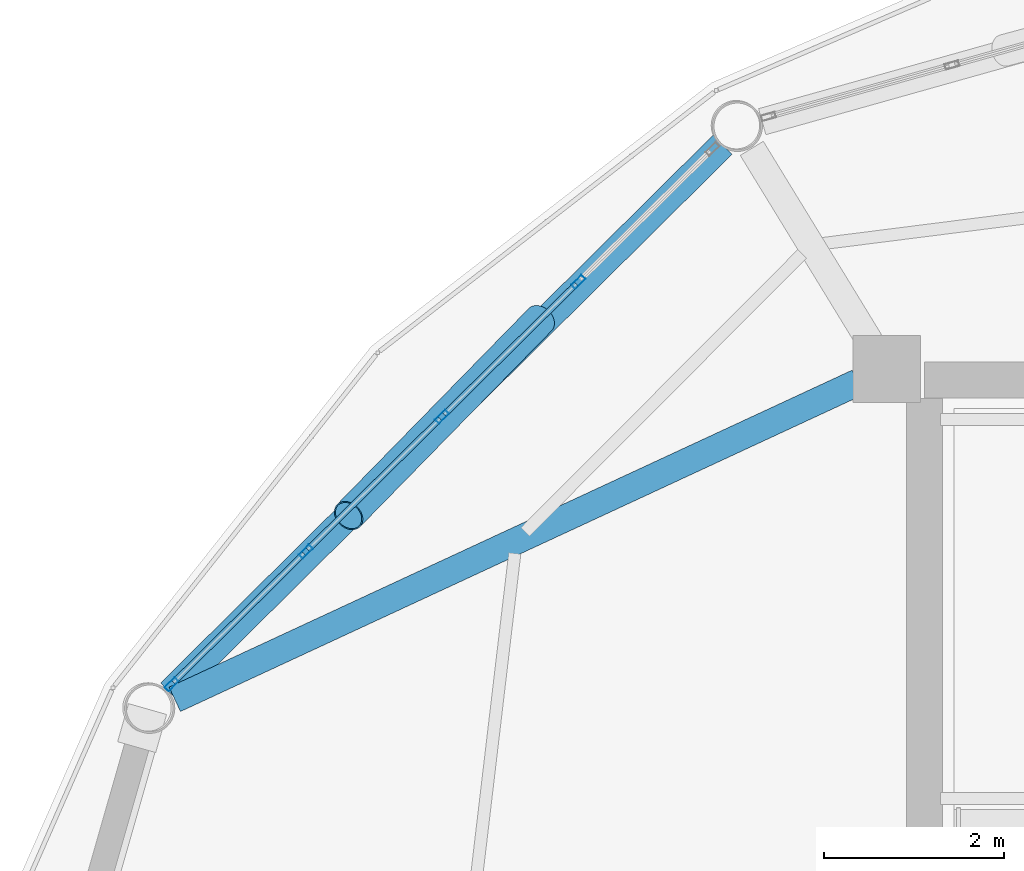
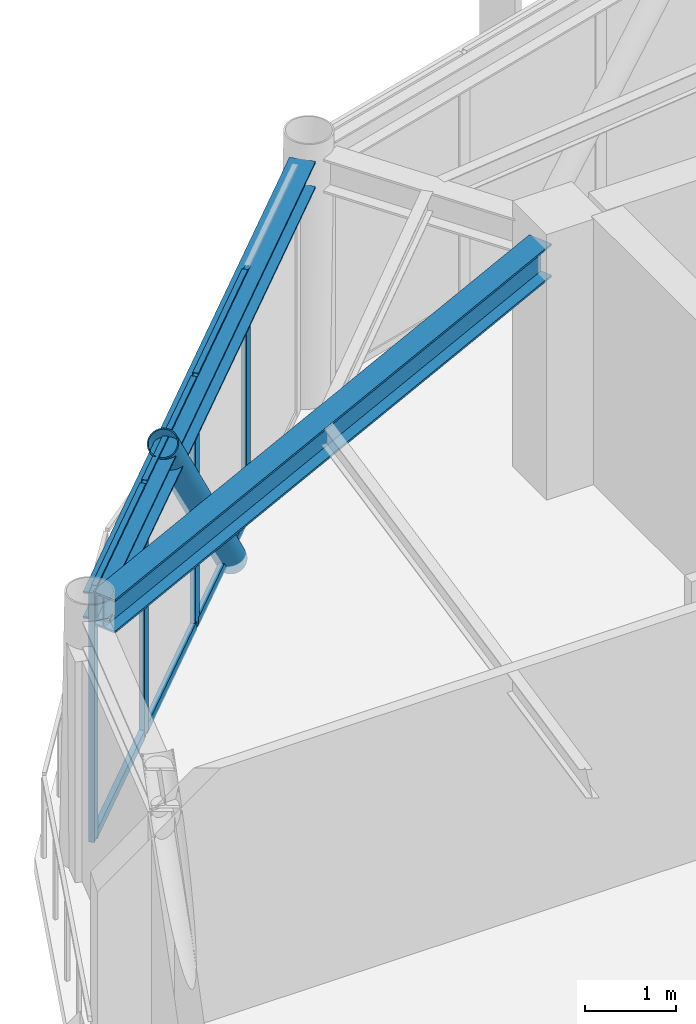
# One storey, part 11 of 24: 11 members, 2 beams, 1 element without a shape of its own.
"""IFC4 building model written with IfcOpenShell, lengths in metres."""

import ifcopenshell
import ifcopenshell.guid

model = None  # the IFC model being written
_history = None  # IfcOwnerHistory: only IFC2X3 demands one
_inside = {}  # id of a spatial element -> (the spatial element, [elements in it])
_under = {}  # id of a project, library or spatial element -> (it, [spatial elements below it])
_declared = {}  # id of a project -> (the project, [libraries it declares])
_typed = {}  # id of a type object -> (the type object, [elements of that type])
_made_of = {}  # id of a material, layer set ... -> (it, [elements and type objects made of it])


def new_model(schema):
    """Start an empty IFC model of exactly this schema.

    Asked for "IFC4X3", IfcOpenShell would pick the latest addendum, in which some entities
    have other attributes; the version numbers below select the first issue.
    IFC2X3 requires an IfcOwnerHistory on every rooted entity: one is made here for all.
    """
    global model, _history
    if schema == "IFC4X3":
        model = ifcopenshell.file(schema_version=(4, 3, 0, 0))
    else:
        model = ifcopenshell.file(schema=schema)
    _inside.clear()
    _under.clear()
    _declared.clear()
    _typed.clear()
    _made_of.clear()
    _history = None
    if model.schema == "IFC2X3":
        org = make("IfcOrganization", Name="unknown")
        user = make(
            "IfcPersonAndOrganization",
            ThePerson=make("IfcPerson", FamilyName="unknown"),
            TheOrganization=org,
        )
        app = make(
            "IfcApplication",
            ApplicationDeveloper=org,
            Version="unknown",
            ApplicationFullName="unknown",
            ApplicationIdentifier="unknown",
        )
        _history = make(
            "IfcOwnerHistory",
            OwningUser=user,
            OwningApplication=app,
            ChangeAction="ADDED",
            CreationDate=0,
        )
    return model


def make(cls, **values):
    """One entity of the class cls with the attributes given. An attribute that is None is left unset."""
    return model.create_entity(
        cls, **{name: value for name, value in values.items() if value is not None}
    )


def rooted(cls, **values):
    """An entity with a GlobalId (a new one), such as an element, a storey or a relation."""
    return make(cls, GlobalId=ifcopenshell.guid.new(), OwnerHistory=_history, **values)


def si_unit(unit_type, name, prefix=None):
    """IfcSIUnit, for example si_unit("LENGTHUNIT", "METRE", prefix="MILLI")."""
    return make("IfcSIUnit", UnitType=unit_type, Prefix=prefix, Name=name)


def assignment(units):
    """IfcUnitAssignment: the units of a project."""
    return None if units is None else make("IfcUnitAssignment", Units=units)


def point(xyz):
    """IfcCartesianPoint."""
    return None if xyz is None else make("IfcCartesianPoint", Coordinates=xyz)


def direction(xyz):
    """IfcDirection."""
    return None if xyz is None else make("IfcDirection", DirectionRatios=xyz)


def frame(location, z_axis=None, x_axis=None):
    """IfcAxis2Placement3D, a coordinate frame: its origin and axes. An axis left out is left unset."""
    return make(
        "IfcAxis2Placement3D",
        Location=point(location),
        Axis=direction(z_axis),
        RefDirection=direction(x_axis),
    )


def frame_2d(location, x_axis=None):
    """IfcAxis2Placement2D, a coordinate frame in the plane: its origin and x axis."""
    return make(
        "IfcAxis2Placement2D", Location=point(location), RefDirection=direction(x_axis)
    )


def origin():
    """The frame at (0, 0, 0) with its axes left unset."""
    return frame((0.0, 0.0, 0.0))


def origin_2d():
    """The frame at (0, 0) in the plane with its x axis left unset."""
    return frame_2d((0.0, 0.0))


def place(relative_to, where):
    """IfcLocalPlacement: puts the frame where relative to a parent placement (None: the world)."""
    return make(
        "IfcLocalPlacement", PlacementRelTo=relative_to, RelativePlacement=where
    )


def context(
    kind, dimensions, precision=None, world=None, true_north=None, identifier=None
):
    """IfcGeometricRepresentationContext, for example the 3D "Model" context."""
    return make(
        "IfcGeometricRepresentationContext",
        ContextIdentifier=identifier,
        ContextType=kind,
        CoordinateSpaceDimension=dimensions,
        Precision=precision,
        WorldCoordinateSystem=world,
        TrueNorth=true_north,
    )


def subcontext(parent, identifier, kind, view, scale=None):
    """IfcGeometricRepresentationSubContext, for example "Body" below "Model"."""
    return make(
        "IfcGeometricRepresentationSubContext",
        ContextIdentifier=identifier,
        ContextType=kind,
        ParentContext=parent,
        TargetScale=scale,
        TargetView=view,
    )


def project(units=None, contexts=None):
    """IfcProject with its units and contexts."""
    return rooted(
        "IfcProject",
        Name="project",
        RepresentationContexts=contexts,
        UnitsInContext=assignment(units),
    )


def spatial(cls, under=None, at=None, **own):
    """A site, building, storey or space (cls), placed at a placement, below another one or the project."""
    s = rooted(cls, ObjectPlacement=at, **own)
    if under is not None:
        _under.setdefault(under.id(), (under, []))[1].append(s)
    return s


def profile(cls, at=None, kind="AREA", **sizes):
    """A parametric profile (cls). Its sizes go by their IFC names, for example OverallWidth=200.0."""
    return make(cls, ProfileType=kind, Position=at, **sizes)


def hollow_rectangle(**sizes):
    """IfcRectangleHollowProfileDef."""
    return profile("IfcRectangleHollowProfileDef", **sizes)


def hollow_circle(**sizes):
    """IfcCircleHollowProfileDef."""
    return profile("IfcCircleHollowProfileDef", **sizes)


def i_section(**sizes):
    """IfcIShapeProfileDef."""
    return profile("IfcIShapeProfileDef", **sizes)


def extrude(swept, where, along, depth):
    """IfcExtrudedAreaSolid: the profile swept, set in the frame where, extruded along a direction by depth."""
    return make(
        "IfcExtrudedAreaSolid",
        SweptArea=swept,
        Position=where,
        ExtrudedDirection=direction(along),
        Depth=depth,
    )


def shape(context_of_items, identifier, shape_type, items):
    """IfcShapeRepresentation: the items that make up one representation, for example the "Body"."""
    return make(
        "IfcShapeRepresentation",
        ContextOfItems=context_of_items,
        RepresentationIdentifier=identifier,
        RepresentationType=shape_type,
        Items=items,
    )


def material(Name=None, Category=None):
    """IfcMaterial."""
    return make("IfcMaterial", Name=Name, Category=Category)


def layer(
    of_material, thickness, ventilated=None, Name=None, Category=None, Priority=None
):
    """IfcMaterialLayer: one layer of a wall or slab, of a material (None: an air gap)."""
    return make(
        "IfcMaterialLayer",
        Material=of_material,
        LayerThickness=thickness,
        IsVentilated=ventilated,
        Name=Name,
        Category=Category,
        Priority=Priority,
    )


def layer_set(layers, Name=None):
    """IfcMaterialLayerSet."""
    return make("IfcMaterialLayerSet", MaterialLayers=layers, LayerSetName=Name)


def material_profile(
    of_material, cross_section, Name=None, Category=None, Priority=None
):
    """IfcMaterialProfile: a cross section and its material."""
    return make(
        "IfcMaterialProfile",
        Name=Name,
        Material=of_material,
        Profile=cross_section,
        Priority=Priority,
        Category=Category,
    )


def profile_set(profiles, Name=None, composite=None):
    """IfcMaterialProfileSet."""
    return make(
        "IfcMaterialProfileSet",
        Name=Name,
        MaterialProfiles=profiles,
        CompositeProfile=composite,
    )


def made_of(thing, what):
    """Note that an element or type object is made of a material, layer set ...; save() writes the relation."""
    if what is not None:
        _made_of.setdefault(what.id(), (what, []))[1].append(thing)
    return thing


def type_object(cls, material=None, **own):
    """A type object (cls), such as IfcWallType, which elements share."""
    return made_of(rooted(cls, **own), material)


def element(
    cls,
    number,
    at=None,
    inside=None,
    cuts=None,
    type_object=None,
    material=None,
    context=None,
    identifier="Body",
    shape_type=None,
    held_by="IfcProductDefinitionShape",
    body=None,
    shapes=None,
    **own,
):
    """One element of the class cls, such as IfcWall. Its Tag is "e" and its number.

    at: its placement. inside: the storey or other place that contains it. cuts: it is an
    opening in that element (IfcRelVoidsElement). A single representation is given by context,
    identifier, shape_type and body (its items); several are given by shapes. held_by: the class
    of the entity that holds the representations. save() writes the other relations.
    """
    e = rooted(cls, Tag="e%d" % number, ObjectPlacement=at, **own)
    if body is not None:
        shapes = [shape(context, identifier, shape_type, body)]
    if shapes is not None:
        e.Representation = make(held_by, Representations=shapes)
    if inside is not None:
        _inside.setdefault(inside.id(), (inside, []))[1].append(e)
    if cuts is not None:
        rooted(
            "IfcRelVoidsElement", RelatingBuildingElement=cuts, RelatedOpeningElement=e
        )
    if type_object is not None:
        _typed.setdefault(type_object.id(), (type_object, []))[1].append(e)
    return made_of(e, material)


def aggregate(whole, parts):
    """IfcRelAggregates: a whole, such as a stair, and the parts it consists of."""
    return rooted("IfcRelAggregates", RelatingObject=whole, RelatedObjects=parts)


def save(model, path):
    """Write the relations noted so far, then the file.

    IfcRelAggregates (storeys below a building ...), IfcRelContainedInSpatialStructure (elements
    in a storey), IfcRelDefinesByType, IfcRelAssociatesMaterial and IfcRelDeclares: one each for
    every whole, place, type object, material and project.
    """
    for whole, parts in _under.values():
        aggregate(whole, parts)
    for where, things in _inside.values():
        rooted(
            "IfcRelContainedInSpatialStructure",
            RelatedElements=things,
            RelatingStructure=where,
        )
    for kind, things in _typed.values():
        rooted("IfcRelDefinesByType", RelatedObjects=things, RelatingType=kind)
    for what, things in _made_of.values():
        rooted("IfcRelAssociatesMaterial", RelatedObjects=things, RelatingMaterial=what)
    for by, libraries in _declared.values():
        rooted("IfcRelDeclares", RelatingContext=by, RelatedDefinitions=libraries)
    model.write(path)


model = new_model("IFC4")

# Units and contexts
model_context = context("Model", 3, precision=1e-05, world=origin(), true_north=direction((0.0, 1.0)))
body_context = subcontext(model_context, "Body", "Model", "MODEL_VIEW")
ifc_project = project(units=[si_unit("LENGTHUNIT", "METRE"), si_unit("AREAUNIT", "SQUARE_METRE"), si_unit("VOLUMEUNIT", "CUBIC_METRE"), si_unit("PLANEANGLEUNIT", "RADIAN"), si_unit("MASSUNIT", "GRAM", prefix="KILO")], contexts=[model_context])

# Site, building, storey
site_placement = place(None, origin())
site = spatial("IfcSite", under=ifc_project, at=site_placement, CompositionType="ELEMENT")
building_placement = place(site_placement, origin())
building = spatial("IfcBuilding", under=site, at=building_placement, Name="Varnakorn Sky Granary", CompositionType="ELEMENT")
storey_placement = place(building_placement, frame((0.0, 0.0, 274.199951171875)))
storey = spatial("IfcBuildingStorey", under=building, at=storey_placement, Name="L70", CompositionType="ELEMENT", Elevation=274.199951171875)

# Beams
ifc_material_1 = material(Name="Steel S355JR", Category="steel")
ifc_material_profile_1 = material_profile(ifc_material_1, i_section(OverallWidth=0.300048828125, OverallDepth=0.449951171875, WebThickness=0.013916015625, FlangeThickness=0.02587890625, at=origin_2d()), Name="HE 450 B")
ifc_profile_set_1 = profile_set([ifc_material_profile_1], Name="Steel S355JR")
beam_type_1 = type_object("IfcBeamType", Name="BM-RAD-Z5", PredefinedType="BEAM", material=ifc_profile_set_1)
beam_1_placement = place(storey_placement, frame((-2.741943359375, 12.470703125, 3.135009765625), z_axis=(-0.90710793453, -0.420898081622, 0.0), x_axis=(0.420898081622, -0.90710793453, 0.0)))
element("IfcBeam", 1, at=beam_1_placement, inside=storey, type_object=beam_type_1, Name="Radial Floor Girder RG06 L70", PredefinedType="BEAM", context=body_context, shape_type="SweptSolid", body=[
    extrude(i_section(OverallWidth=0.300048828125, OverallDepth=0.449951171875, WebThickness=0.013916015625, FlangeThickness=0.02587890625, at=origin_2d()), origin(), (0.0, 0.0, 1.0), 8.376953125),
])
ifc_material_profile_2 = material_profile(ifc_material_1, i_section(OverallWidth=0.300048828125, OverallDepth=0.360107421875, WebThickness=0.012451171875, FlangeThickness=0.0224609375, at=origin_2d()), Name="HE 360 B")
ifc_profile_set_2 = profile_set([ifc_material_profile_2], Name="Steel S355JR")
beam_type_2 = type_object("IfcBeamType", Name="BM-SPD-Z5", PredefinedType="SPANDREL", material=ifc_profile_set_2)
beam_2_placement = place(storey_placement, frame((-4.246826171875, 15.114013671875, 3.179931640625), z_axis=(-0.710104416843, -0.704096383445, 0.0), x_axis=(0.704096383445, -0.710104416843, 0.0)))
element("IfcBeam", 2, at=beam_2_placement, inside=storey, type_object=beam_type_2, Name="Perimeter Spandrel Ring Beam RB05 L70", PredefinedType="SPANDREL", context=body_context, shape_type="SweptSolid", body=[
    extrude(i_section(OverallWidth=0.300048828125, OverallDepth=0.360107421875, WebThickness=0.012451171875, FlangeThickness=0.0224609375, at=origin_2d()), origin(), (0.0, 0.0, 1.0), 8.655517578125),
])

# Curtain wall, members
ifc_material_2 = material(Name="Anodised Bronze Aluminium Alloy 6063-T6", Category="aluminium")
ifc_layer = layer(ifc_material_2, 0.159912109375, Name="Anodised Bronze Aluminium Alloy 6063-T6")
ifc_layer_set = layer_set([ifc_layer], Name="Anodised Bronze Aluminium Alloy 6063-T6")
curtain_wall_type = type_object("IfcCurtainWallType", Name="CW-OFF-1", PredefinedType="USERDEFINED", material=ifc_layer_set)
curtain_wall_placement = place(storey_placement, origin())
curtain_wall = element("IfcCurtainWall", 3, at=curtain_wall_placement, inside=storey, type_object=curtain_wall_type, Name="Unitised Curtain Wall CW6 CW-L70-B05", ObjectType="CURTAIN WALL", PredefinedType="USERDEFINED")
ifc_material_profile_3 = material_profile(ifc_material_2, hollow_rectangle(XDim=0.06494140625, YDim=0.159912109375, WallThickness=0.00341796875, at=origin_2d()), Name="ALU MULL 65x160")
ifc_profile_set_3 = profile_set([ifc_material_profile_3], Name="Anodised Bronze Aluminium Alloy 6063-T6")
member_type_1 = type_object("IfcMemberType", Name="CW-OFF-1-MULL", PredefinedType="MULLION", material=ifc_profile_set_3)
member_1_placement = place(storey_placement, frame((-10.375244140625, 9.111572265625, 0.0), z_axis=(0.0, 0.0, 1.0), x_axis=(-0.703399020646, 0.710795200993, 0.0)))
member_1 = element("IfcMember", 4, at=member_1_placement, type_object=member_type_1, Name="CW6 mullion 1", PredefinedType="MULLION", context=body_context, shape_type="SweptSolid", body=[
    extrude(hollow_rectangle(XDim=0.06494140625, YDim=0.159912109375, WallThickness=0.00341796875, at=origin_2d()), origin(), (0.0, 0.0, 1.0), 3.360107421875),
])
member_2_placement = place(storey_placement, frame((-8.88232421875, 10.589111328125, 0.0), z_axis=(0.0, 0.0, 1.0), x_axis=(-0.703399020646, 0.710795200993, 0.0)))
member_2 = element("IfcMember", 5, at=member_2_placement, type_object=member_type_1, Name="CW6 mullion 2", PredefinedType="MULLION", context=body_context, shape_type="SweptSolid", body=[
    extrude(hollow_rectangle(XDim=0.06494140625, YDim=0.159912109375, WallThickness=0.00341796875, at=origin_2d()), origin(), (0.0, 0.0, 1.0), 3.360107421875),
])
member_3_placement = place(storey_placement, frame((-7.366455078125, 12.08935546875, 0.0), z_axis=(0.0, 0.0, 1.0), x_axis=(-0.703399020646, 0.710795200993, 0.0)))
member_3 = element("IfcMember", 6, at=member_3_placement, type_object=member_type_1, Name="CW6 mullion 3", PredefinedType="MULLION", context=body_context, shape_type="SweptSolid", body=[
    extrude(hollow_rectangle(XDim=0.06494140625, YDim=0.159912109375, WallThickness=0.00341796875, at=origin_2d()), origin(), (0.0, 0.0, 1.0), 3.360107421875),
])
member_4_placement = place(storey_placement, frame((-5.850341796875, 13.589599609375, 0.0), z_axis=(0.0, 0.0, 1.0), x_axis=(-0.703399020646, 0.710795200993, 0.0)))
member_4 = element("IfcMember", 7, at=member_4_placement, type_object=member_type_1, Name="CW6 mullion 4", PredefinedType="MULLION", context=body_context, shape_type="SweptSolid", body=[
    extrude(hollow_rectangle(XDim=0.06494140625, YDim=0.159912109375, WallThickness=0.00341796875, at=origin_2d()), origin(), (0.0, 0.0, 1.0), 3.360107421875),
])
ifc_material_profile_4 = material_profile(ifc_material_2, hollow_rectangle(XDim=0.06494140625, YDim=0.1201171875, WallThickness=0.00341796875, at=origin_2d()), Name="ALU TRAN 65x120")
ifc_profile_set_4 = profile_set([ifc_material_profile_4], Name="Anodised Bronze Aluminium Alloy 6063-T6")
member_type_2 = type_object("IfcMemberType", Name="CW-OFF-1-TRAN", PredefinedType="USERDEFINED", material=ifc_profile_set_4)
member_5_placement = place(storey_placement, frame((-10.352294921875, 9.134521484375, 0.032470703125), z_axis=(0.710815410911, 0.703378597635, 0.0), x_axis=(-0.703378597635, 0.710815410911, 0.0)))
member_5 = element("IfcMember", 8, at=member_5_placement, type_object=member_type_2, Name="CW6 transom 1.1", ObjectType="TRANSOM", PredefinedType="USERDEFINED", context=body_context, shape_type="SweptSolid", body=[
    extrude(hollow_rectangle(XDim=0.06494140625, YDim=0.1201171875, WallThickness=0.00341796875, at=origin_2d()), origin(), (0.0, 0.0, 1.0), 2.035400390625),
])
member_6_placement = place(storey_placement, frame((-10.352294921875, 9.134521484375, 3.32763671875), z_axis=(0.710815410911, 0.703378597635, 0.0), x_axis=(-0.703378597635, 0.710815410911, 0.0)))
member_6 = element("IfcMember", 9, at=member_6_placement, type_object=member_type_2, Name="CW6 transom 1.2", ObjectType="TRANSOM", PredefinedType="USERDEFINED", context=body_context, shape_type="SweptSolid", body=[
    extrude(hollow_rectangle(XDim=0.06494140625, YDim=0.1201171875, WallThickness=0.00341796875, at=origin_2d()), origin(), (0.0, 0.0, 1.0), 2.035400390625),
])
member_7_placement = place(storey_placement, frame((-8.859375, 10.61181640625, 0.032470703125), z_axis=(0.710815769482, 0.703378235273, 0.0), x_axis=(-0.703378235273, 0.710815769482, 0.0)))
member_7 = element("IfcMember", 10, at=member_7_placement, type_object=member_type_2, Name="CW6 transom 2.1", ObjectType="TRANSOM", PredefinedType="USERDEFINED", context=body_context, shape_type="SweptSolid", body=[
    extrude(hollow_rectangle(XDim=0.06494140625, YDim=0.1201171875, WallThickness=0.00341796875, at=origin_2d()), origin(), (0.0, 0.0, 1.0), 2.068115234375),
])
member_8_placement = place(storey_placement, frame((-8.859375, 10.61181640625, 3.32763671875), z_axis=(0.710815769482, 0.703378235273, 0.0), x_axis=(-0.703378235273, 0.710815769482, 0.0)))
member_8 = element("IfcMember", 11, at=member_8_placement, type_object=member_type_2, Name="CW6 transom 2.2", ObjectType="TRANSOM", PredefinedType="USERDEFINED", context=body_context, shape_type="SweptSolid", body=[
    extrude(hollow_rectangle(XDim=0.06494140625, YDim=0.1201171875, WallThickness=0.00341796875, at=origin_2d()), origin(), (0.0, 0.0, 1.0), 2.068115234375),
])
member_9_placement = place(storey_placement, frame((-7.34326171875, 12.112060546875, 0.032470703125), z_axis=(0.710757354944, 0.703437262585, 0.0), x_axis=(-0.703437262585, 0.710757354944, 0.0)))
member_9 = element("IfcMember", 12, at=member_9_placement, type_object=member_type_2, Name="CW6 transom 3.1", ObjectType="TRANSOM", PredefinedType="USERDEFINED", context=body_context, shape_type="SweptSolid", body=[
    extrude(hollow_rectangle(XDim=0.06494140625, YDim=0.1201171875, WallThickness=0.00341796875, at=origin_2d()), origin(), (0.0, 0.0, 1.0), 2.06787109375),
])
member_10_placement = place(storey_placement, frame((-7.34326171875, 12.112060546875, 3.32763671875), z_axis=(0.710757354944, 0.703437262585, 0.0), x_axis=(-0.703437262585, 0.710757354944, 0.0)))
member_10 = element("IfcMember", 13, at=member_10_placement, type_object=member_type_2, Name="CW6 transom 3.2", ObjectType="TRANSOM", PredefinedType="USERDEFINED", context=body_context, shape_type="SweptSolid", body=[
    extrude(hollow_rectangle(XDim=0.06494140625, YDim=0.1201171875, WallThickness=0.00341796875, at=origin_2d()), origin(), (0.0, 0.0, 1.0), 2.06787109375),
])
aggregate(curtain_wall, [member_1, member_2, member_3, member_4, member_5, member_6, member_7, member_8, member_9, member_10])

# Member
ifc_material_3 = material(Name="Steel S460M", Category="steel")
ifc_material_profile_5 = material_profile(ifc_material_3, hollow_circle(Radius=0.177734375, WallThickness=0.01416015625, at=origin_2d()), Name="CHS 355.6x14")
ifc_profile_set_5 = profile_set([ifc_material_profile_5], Name="Steel S460M")
member_type_3 = type_object("IfcMemberType", Name="MB-DIAG-T5", PredefinedType="BRACE", material=ifc_profile_set_5)
member_11_placement = place(storey_placement, frame((-6.275146484375, 13.169189453125, -0.1298828125), z_axis=(-0.450418761618, -0.460632105045, 0.764814358511), x_axis=(0.714988880842, -0.699135823909, 0.0)))
element("IfcMember", 14, at=member_11_placement, inside=storey, type_object=member_type_3, Name="Perimeter CHS Diagrid Brace DG05 L70", PredefinedType="BRACE", context=body_context, shape_type="SweptSolid", body=[
    extrude(hollow_circle(Radius=0.177734375, WallThickness=0.01416015625, at=origin_2d()), origin(), (0.0, 0.0, 1.0), 4.73291015625),
])

save(model, "model.ifc")
